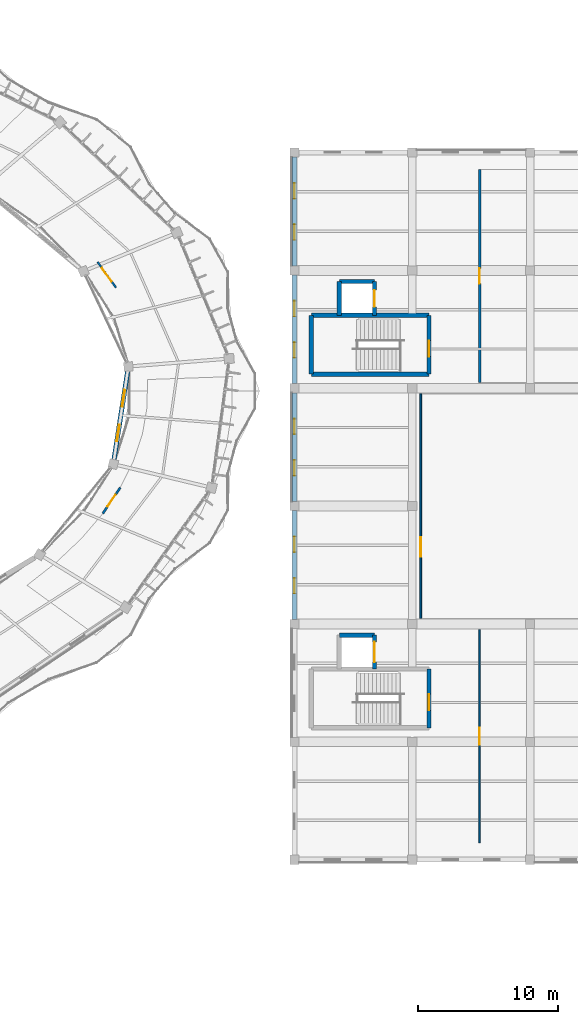
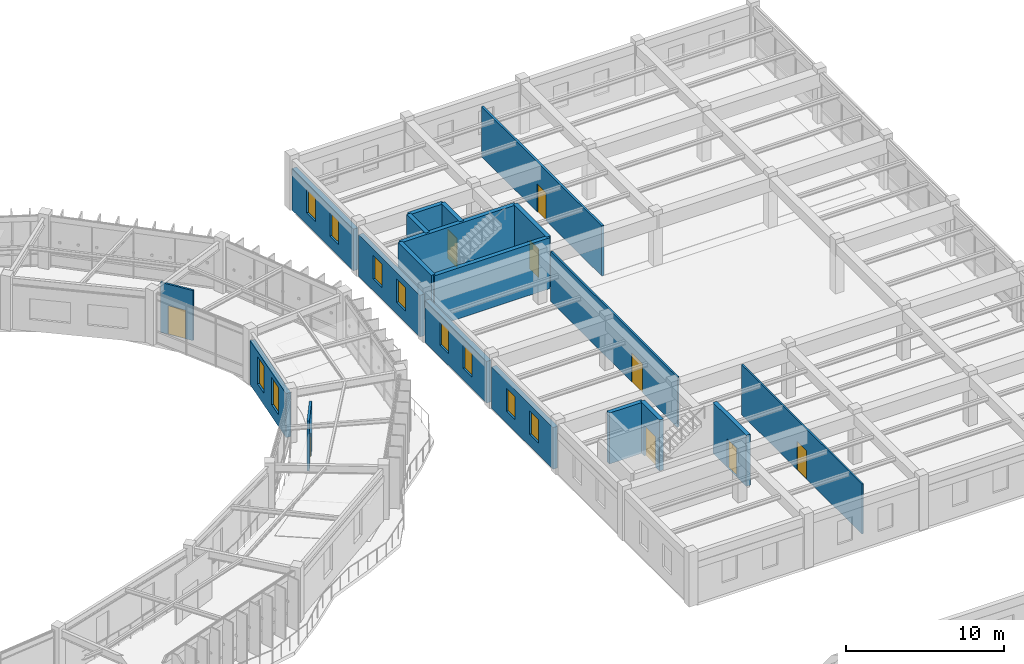
# One storey, part 119 of 138: 20 walls, 10 windows, 9 doors, 19 openings.
"""IFC4 building model written with IfcOpenShell, lengths in metres."""

import ifcopenshell
import ifcopenshell.guid

model = None  # the IFC model being written
_history = None  # IfcOwnerHistory: only IFC2X3 demands one
_inside = {}  # id of a spatial element -> (the spatial element, [elements in it])
_under = {}  # id of a project, library or spatial element -> (it, [spatial elements below it])
_declared = {}  # id of a project -> (the project, [libraries it declares])
_typed = {}  # id of a type object -> (the type object, [elements of that type])
_made_of = {}  # id of a material, layer set ... -> (it, [elements and type objects made of it])


def new_model(schema):
    """Start an empty IFC model of exactly this schema.

    Asked for "IFC4X3", IfcOpenShell would pick the latest addendum, in which some entities
    have other attributes; the version numbers below select the first issue.
    IFC2X3 requires an IfcOwnerHistory on every rooted entity: one is made here for all.
    """
    global model, _history
    if schema == "IFC4X3":
        model = ifcopenshell.file(schema_version=(4, 3, 0, 0))
    else:
        model = ifcopenshell.file(schema=schema)
    _inside.clear()
    _under.clear()
    _declared.clear()
    _typed.clear()
    _made_of.clear()
    _history = None
    if model.schema == "IFC2X3":
        org = make("IfcOrganization", Name="unknown")
        user = make(
            "IfcPersonAndOrganization",
            ThePerson=make("IfcPerson", FamilyName="unknown"),
            TheOrganization=org,
        )
        app = make(
            "IfcApplication",
            ApplicationDeveloper=org,
            Version="unknown",
            ApplicationFullName="unknown",
            ApplicationIdentifier="unknown",
        )
        _history = make(
            "IfcOwnerHistory",
            OwningUser=user,
            OwningApplication=app,
            ChangeAction="ADDED",
            CreationDate=0,
        )
    return model


def make(cls, **values):
    """One entity of the class cls with the attributes given. An attribute that is None is left unset."""
    return model.create_entity(
        cls, **{name: value for name, value in values.items() if value is not None}
    )


def rooted(cls, **values):
    """An entity with a GlobalId (a new one), such as an element, a storey or a relation."""
    return make(cls, GlobalId=ifcopenshell.guid.new(), OwnerHistory=_history, **values)


def si_unit(unit_type, name, prefix=None):
    """IfcSIUnit, for example si_unit("LENGTHUNIT", "METRE", prefix="MILLI")."""
    return make("IfcSIUnit", UnitType=unit_type, Prefix=prefix, Name=name)


def assignment(units):
    """IfcUnitAssignment: the units of a project."""
    return None if units is None else make("IfcUnitAssignment", Units=units)


def point(xyz):
    """IfcCartesianPoint."""
    return None if xyz is None else make("IfcCartesianPoint", Coordinates=xyz)


def direction(xyz):
    """IfcDirection."""
    return None if xyz is None else make("IfcDirection", DirectionRatios=xyz)


def frame(location, z_axis=None, x_axis=None):
    """IfcAxis2Placement3D, a coordinate frame: its origin and axes. An axis left out is left unset."""
    return make(
        "IfcAxis2Placement3D",
        Location=point(location),
        Axis=direction(z_axis),
        RefDirection=direction(x_axis),
    )


def frame_2d(location, x_axis=None):
    """IfcAxis2Placement2D, a coordinate frame in the plane: its origin and x axis."""
    return make(
        "IfcAxis2Placement2D", Location=point(location), RefDirection=direction(x_axis)
    )


def origin():
    """The frame at (0, 0, 0) with its axes left unset."""
    return frame((0.0, 0.0, 0.0))


def place(relative_to, where):
    """IfcLocalPlacement: puts the frame where relative to a parent placement (None: the world)."""
    return make(
        "IfcLocalPlacement", PlacementRelTo=relative_to, RelativePlacement=where
    )


def context(
    kind, dimensions, precision=None, world=None, true_north=None, identifier=None
):
    """IfcGeometricRepresentationContext, for example the 3D "Model" context."""
    return make(
        "IfcGeometricRepresentationContext",
        ContextIdentifier=identifier,
        ContextType=kind,
        CoordinateSpaceDimension=dimensions,
        Precision=precision,
        WorldCoordinateSystem=world,
        TrueNorth=true_north,
    )


def subcontext(parent, identifier, kind, view, scale=None):
    """IfcGeometricRepresentationSubContext, for example "Body" below "Model"."""
    return make(
        "IfcGeometricRepresentationSubContext",
        ContextIdentifier=identifier,
        ContextType=kind,
        ParentContext=parent,
        TargetScale=scale,
        TargetView=view,
    )


def project(units=None, contexts=None):
    """IfcProject with its units and contexts."""
    return rooted(
        "IfcProject",
        Name="project",
        RepresentationContexts=contexts,
        UnitsInContext=assignment(units),
    )


def spatial(cls, under=None, at=None, **own):
    """A site, building, storey or space (cls), placed at a placement, below another one or the project."""
    s = rooted(cls, ObjectPlacement=at, **own)
    if under is not None:
        _under.setdefault(under.id(), (under, []))[1].append(s)
    return s


def profile(cls, at=None, kind="AREA", **sizes):
    """A parametric profile (cls). Its sizes go by their IFC names, for example OverallWidth=200.0."""
    return make(cls, ProfileType=kind, Position=at, **sizes)


def rectangle(**sizes):
    """IfcRectangleProfileDef."""
    return profile("IfcRectangleProfileDef", **sizes)


def extrude(swept, where, along, depth):
    """IfcExtrudedAreaSolid: the profile swept, set in the frame where, extruded along a direction by depth."""
    return make(
        "IfcExtrudedAreaSolid",
        SweptArea=swept,
        Position=where,
        ExtrudedDirection=direction(along),
        Depth=depth,
    )


def shape(context_of_items, identifier, shape_type, items):
    """IfcShapeRepresentation: the items that make up one representation, for example the "Body"."""
    return make(
        "IfcShapeRepresentation",
        ContextOfItems=context_of_items,
        RepresentationIdentifier=identifier,
        RepresentationType=shape_type,
        Items=items,
    )


def material(Name=None, Category=None):
    """IfcMaterial."""
    return make("IfcMaterial", Name=Name, Category=Category)


def layer(
    of_material, thickness, ventilated=None, Name=None, Category=None, Priority=None
):
    """IfcMaterialLayer: one layer of a wall or slab, of a material (None: an air gap)."""
    return make(
        "IfcMaterialLayer",
        Material=of_material,
        LayerThickness=thickness,
        IsVentilated=ventilated,
        Name=Name,
        Category=Category,
        Priority=Priority,
    )


def layer_set(layers, Name=None):
    """IfcMaterialLayerSet."""
    return make("IfcMaterialLayerSet", MaterialLayers=layers, LayerSetName=Name)


def made_of(thing, what):
    """Note that an element or type object is made of a material, layer set ...; save() writes the relation."""
    if what is not None:
        _made_of.setdefault(what.id(), (what, []))[1].append(thing)
    return thing


def type_object(cls, material=None, **own):
    """A type object (cls), such as IfcWallType, which elements share."""
    return made_of(rooted(cls, **own), material)


def element(
    cls,
    number,
    at=None,
    inside=None,
    cuts=None,
    type_object=None,
    material=None,
    context=None,
    identifier="Body",
    shape_type=None,
    held_by="IfcProductDefinitionShape",
    body=None,
    shapes=None,
    **own,
):
    """One element of the class cls, such as IfcWall. Its Tag is "e" and its number.

    at: its placement. inside: the storey or other place that contains it. cuts: it is an
    opening in that element (IfcRelVoidsElement). A single representation is given by context,
    identifier, shape_type and body (its items); several are given by shapes. held_by: the class
    of the entity that holds the representations. save() writes the other relations.
    """
    e = rooted(cls, Tag="e%d" % number, ObjectPlacement=at, **own)
    if body is not None:
        shapes = [shape(context, identifier, shape_type, body)]
    if shapes is not None:
        e.Representation = make(held_by, Representations=shapes)
    if inside is not None:
        _inside.setdefault(inside.id(), (inside, []))[1].append(e)
    if cuts is not None:
        rooted(
            "IfcRelVoidsElement", RelatingBuildingElement=cuts, RelatedOpeningElement=e
        )
    if type_object is not None:
        _typed.setdefault(type_object.id(), (type_object, []))[1].append(e)
    return made_of(e, material)


def fill(opening, filler):
    """IfcRelFillsElement: the door or window that sits in an opening."""
    return rooted(
        "IfcRelFillsElement",
        RelatingOpeningElement=opening,
        RelatedBuildingElement=filler,
    )


def aggregate(whole, parts):
    """IfcRelAggregates: a whole, such as a stair, and the parts it consists of."""
    return rooted("IfcRelAggregates", RelatingObject=whole, RelatedObjects=parts)


def save(model, path):
    """Write the relations noted so far, then the file.

    IfcRelAggregates (storeys below a building ...), IfcRelContainedInSpatialStructure (elements
    in a storey), IfcRelDefinesByType, IfcRelAssociatesMaterial and IfcRelDeclares: one each for
    every whole, place, type object, material and project.
    """
    for whole, parts in _under.values():
        aggregate(whole, parts)
    for where, things in _inside.values():
        rooted(
            "IfcRelContainedInSpatialStructure",
            RelatedElements=things,
            RelatingStructure=where,
        )
    for kind, things in _typed.values():
        rooted("IfcRelDefinesByType", RelatedObjects=things, RelatingType=kind)
    for what, things in _made_of.values():
        rooted("IfcRelAssociatesMaterial", RelatedObjects=things, RelatingMaterial=what)
    for by, libraries in _declared.values():
        rooted("IfcRelDeclares", RelatingContext=by, RelatedDefinitions=libraries)
    model.write(path)


model = new_model("IFC4")

# Units and contexts
model_context = context("Model", 3, precision=1e-05, world=origin(), true_north=direction((0.0, 1.0)))
body_context = subcontext(model_context, "Body", "Model", "MODEL_VIEW")
ifc_project = project(units=[si_unit("LENGTHUNIT", "METRE"), si_unit("AREAUNIT", "SQUARE_METRE"), si_unit("VOLUMEUNIT", "CUBIC_METRE"), si_unit("PLANEANGLEUNIT", "RADIAN"), si_unit("MASSUNIT", "GRAM", prefix="KILO"), si_unit("THERMODYNAMICTEMPERATUREUNIT", "KELVIN"), si_unit("POWERUNIT", "WATT")], contexts=[model_context])

# Site, building, storey
site_placement = place(None, origin())
site = spatial("IfcSite", under=ifc_project, at=site_placement, CompositionType="ELEMENT")
building_placement = place(site_placement, origin())
building = spatial("IfcBuilding", under=site, at=building_placement, Name="Darbajah Civic Hall", CompositionType="ELEMENT")
storey_placement = place(building_placement, frame((0.0, 0.0, 9.60009765625)))
storey = spatial("IfcBuildingStorey", under=building, at=storey_placement, Name="L02", CompositionType="ELEMENT", Elevation=9.60009765625)

# Wall
ifc_material_1 = material(Name="Concrete C45/55", Category="concrete")
ifc_layer_1 = layer(ifc_material_1, 0.300048828125, Name="Concrete C45/55")
ifc_layer_set_1 = layer_set([ifc_layer_1], Name="Concrete C45/55")
wall_type_1 = type_object("IfcWallType", Name="Core Shear Wall 300mm", PredefinedType="SHEAR", material=ifc_layer_set_1)
wall_1_placement = place(storey_placement, frame((145.800048828125, 91.0, 0.0), z_axis=(0.0, 0.0, 1.0), x_axis=(1.0, 0.0, 0.0)))
element("IfcWall", 1, at=wall_1_placement, inside=storey, type_object=wall_type_1, Name="L02 core C08 shear wall S", PredefinedType="SHEAR", context=body_context, shape_type="SweptSolid", body=[
    extrude(rectangle(XDim=8.39990234375, YDim=0.300048828125, at=frame_2d((4.199951171875, 0.0))), origin(), (0.0, 0.0, 1.0), 3.919921875),
])

# Wall, opening, door
wall_2_placement = place(storey_placement, frame((154.199951171875, 91.0, 0.0), z_axis=(0.0, 0.0, 1.0), x_axis=(0.0, 1.0, 0.0)))
wall_2 = element("IfcWall", 2, at=wall_2_placement, inside=storey, type_object=wall_type_1, Name="L02 core C08 shear wall E", PredefinedType="SHEAR", context=body_context, shape_type="SweptSolid", body=[
    extrude(rectangle(XDim=4.199951171875, YDim=0.300048828125, at=frame_2d((2.10009765625, 0.0))), origin(), (0.0, 0.0, 1.0), 3.919921875),
])
opening_1_placement = place(wall_2_placement, frame((1.25, 0.0, 0.0)))
opening_1 = element("IfcOpeningElement", 3, at=opening_1_placement, cuts=wall_2, Name="Opening SD-0091", PredefinedType="OPENING", context=body_context, shape_type="SweptSolid", body=[
    extrude(rectangle(XDim=1.14990234375, YDim=2.199951171875, at=frame_2d((0.574951171875, 1.10009765625))), frame((0.0, 0.159912109375, 0.0), z_axis=(0.0, -1.0, 0.0), x_axis=(1.0, 0.0, 0.0)), (0.0, 0.0, 1.0), 0.320068359375),
])
ifc_material_2 = material(Name="Steel Rated Core Door", Category="steel")
door_type_1 = type_object("IfcDoorType", Name="Interior Door 1150x2200", OperationType="NOTDEFINED", PredefinedType="DOOR", material=ifc_material_2)
door_1_placement = place(opening_1_placement, origin())
door_1 = element("IfcDoor", 4, at=door_1_placement, inside=storey, type_object=door_type_1, Name="L02 stair ST08 fire door SD-0091", OperationType="SINGLE_SWING_RIGHT", OverallHeight=2.199951171875, OverallWidth=1.14990234375, PredefinedType="DOOR", context=body_context, shape_type="SweptSolid", body=[
    extrude(rectangle(XDim=1.14990234375, YDim=2.199951171875, at=frame_2d((0.574951171875, 1.10009765625))), frame((0.0, 0.02490234375, 0.0), z_axis=(0.0, -1.0, 0.0), x_axis=(1.0, 0.0, 0.0)), (0.0, 0.0, 1.0), 0.050048828125),
])
fill(opening_1, door_1)

# Walls
wall_3_placement = place(storey_placement, frame((154.199951171875, 95.199951171875, 0.0), z_axis=(0.0, 0.0, 1.0), x_axis=(-1.0, 0.0, 0.0)))
element("IfcWall", 5, at=wall_3_placement, inside=storey, type_object=wall_type_1, Name="L02 core C08 shear wall N", PredefinedType="SHEAR", context=body_context, shape_type="SweptSolid", body=[
    extrude(rectangle(XDim=8.39990234375, YDim=0.300048828125, at=frame_2d((4.199951171875, 0.0))), origin(), (0.0, 0.0, 1.0), 3.919921875),
])
wall_4_placement = place(storey_placement, frame((145.800048828125, 95.199951171875, 0.0), z_axis=(0.0, 0.0, 1.0), x_axis=(0.0, -1.0, 0.0)))
element("IfcWall", 6, at=wall_4_placement, inside=storey, type_object=wall_type_1, Name="L02 core C08 shear wall W", PredefinedType="SHEAR", context=body_context, shape_type="SweptSolid", body=[
    extrude(rectangle(XDim=4.199951171875, YDim=0.300048828125, at=frame_2d((2.10009765625, 0.0))), origin(), (0.0, 0.0, 1.0), 3.919921875),
])
wall_5_placement = place(storey_placement, frame((150.300048828125, 97.60009765625, 0.0), z_axis=(0.0, 0.0, 1.0), x_axis=(-1.0, 0.0, 0.0)))
element("IfcWall", 7, at=wall_5_placement, inside=storey, type_object=wall_type_1, Name="L02 lift PL4 shaft wall N", PredefinedType="SHEAR", context=body_context, shape_type="SweptSolid", body=[
    extrude(rectangle(XDim=2.5, YDim=0.300048828125, at=frame_2d((1.25, 0.0))), origin(), (0.0, 0.0, 1.0), 3.919921875),
])
wall_6_placement = place(storey_placement, frame((147.800048828125, 97.60009765625, 0.0), z_axis=(0.0, 0.0, 1.0), x_axis=(0.0, -1.0, 0.0)))
element("IfcWall", 8, at=wall_6_placement, inside=storey, type_object=wall_type_1, Name="L02 lift PL4 shaft wall W", PredefinedType="SHEAR", context=body_context, shape_type="SweptSolid", body=[
    extrude(rectangle(XDim=2.400146484375, YDim=0.300048828125, at=frame_2d((1.2001953125, 0.0))), origin(), (0.0, 0.0, 1.0), 3.919921875),
])

# Wall, opening, door
wall_7_placement = place(storey_placement, frame((150.300048828125, 95.199951171875, 0.0), z_axis=(0.0, 0.0, 1.0), x_axis=(0.0, 1.0, 0.0)))
wall_7 = element("IfcWall", 9, at=wall_7_placement, inside=storey, type_object=wall_type_1, Name="L02 lift PL4 shaft wall E", PredefinedType="SHEAR", context=body_context, shape_type="SweptSolid", body=[
    extrude(rectangle(XDim=2.400146484375, YDim=0.300048828125, at=frame_2d((1.2001953125, 0.0))), origin(), (0.0, 0.0, 1.0), 3.919921875),
])
opening_2_placement = place(wall_7_placement, frame((0.60009765625, 0.0, 0.0)))
opening_2 = element("IfcOpeningElement", 10, at=opening_2_placement, cuts=wall_7, Name="Opening LD-0096", PredefinedType="OPENING", context=body_context, shape_type="SweptSolid", body=[
    extrude(rectangle(XDim=1.199951171875, YDim=2.25, at=frame_2d((0.60009765625, 1.125))), frame((0.0, 0.159912109375, 0.0), z_axis=(0.0, -1.0, 0.0), x_axis=(1.0, 0.0, 0.0)), (0.0, 0.0, 1.0), 0.320068359375),
])
ifc_material_3 = material(Name="Stainless Lift Landing Door")
door_type_2 = type_object("IfcDoorType", Name="Lift Landing Door 1200x2250", OperationType="SLIDING_TO_LEFT", PredefinedType="DOOR", material=ifc_material_3)
door_2_placement = place(opening_2_placement, origin())
door_2 = element("IfcDoor", 11, at=door_2_placement, inside=storey, type_object=door_type_2, Name="L02 lift PL4 landing door LD-0096", OperationType="SLIDING_TO_LEFT", OverallHeight=2.25, OverallWidth=1.199951171875, PredefinedType="DOOR", context=body_context, shape_type="SweptSolid", body=[
    extrude(rectangle(XDim=1.199951171875, YDim=2.25, at=frame_2d((0.60009765625, 1.125))), frame((0.0, 0.02490234375, 0.0), z_axis=(0.0, -1.0, 0.0), x_axis=(1.0, 0.0, 0.0)), (0.0, 0.0, 1.0), 0.050048828125),
])
fill(opening_2, door_2)

wall_8_placement = place(storey_placement, frame((154.199951171875, 65.800048828125, 0.0), z_axis=(0.0, 0.0, 1.0), x_axis=(0.0, 1.0, 0.0)))
wall_8 = element("IfcWall", 12, at=wall_8_placement, inside=storey, type_object=wall_type_1, Name="L02 core C09 shear wall E", PredefinedType="SHEAR", context=body_context, shape_type="SweptSolid", body=[
    extrude(rectangle(XDim=4.199951171875, YDim=0.300048828125, at=frame_2d((2.10009765625, 0.0))), origin(), (0.0, 0.0, 1.0), 3.919921875),
])
opening_3_placement = place(wall_8_placement, frame((1.25, 0.0, 0.0)))
opening_3 = element("IfcOpeningElement", 13, at=opening_3_placement, cuts=wall_8, Name="Opening SD-0101", PredefinedType="OPENING", context=body_context, shape_type="SweptSolid", body=[
    extrude(rectangle(XDim=1.14990234375, YDim=2.199951171875, at=frame_2d((0.574951171875, 1.10009765625))), frame((0.0, 0.159912109375, 0.0), z_axis=(0.0, -1.0, 0.0), x_axis=(1.0, 0.0, 0.0)), (0.0, 0.0, 1.0), 0.320068359375),
])
door_3_placement = place(opening_3_placement, origin())
door_3 = element("IfcDoor", 14, at=door_3_placement, inside=storey, type_object=door_type_1, Name="L02 stair ST09 fire door SD-0101", OperationType="SINGLE_SWING_RIGHT", OverallHeight=2.199951171875, OverallWidth=1.14990234375, PredefinedType="DOOR", context=body_context, shape_type="SweptSolid", body=[
    extrude(rectangle(XDim=1.14990234375, YDim=2.199951171875, at=frame_2d((0.574951171875, 1.10009765625))), frame((0.0, 0.02490234375, 0.0), z_axis=(0.0, -1.0, 0.0), x_axis=(1.0, 0.0, 0.0)), (0.0, 0.0, 1.0), 0.050048828125),
])
fill(opening_3, door_3)

# Wall
wall_9_placement = place(storey_placement, frame((150.300048828125, 72.39990234375, 0.0), z_axis=(0.0, 0.0, 1.0), x_axis=(-1.0, 0.0, 0.0)))
element("IfcWall", 15, at=wall_9_placement, inside=storey, type_object=wall_type_1, Name="L02 lift BL1 shaft wall N", PredefinedType="SHEAR", context=body_context, shape_type="SweptSolid", body=[
    extrude(rectangle(XDim=2.5, YDim=0.300048828125, at=frame_2d((1.25, 0.0))), origin(), (0.0, 0.0, 1.0), 3.919921875),
])

# Wall, opening, door
wall_10_placement = place(storey_placement, frame((150.300048828125, 70.0, 0.0), z_axis=(0.0, 0.0, 1.0), x_axis=(0.0, 1.0, 0.0)))
wall_10 = element("IfcWall", 16, at=wall_10_placement, inside=storey, type_object=wall_type_1, Name="L02 lift BL1 shaft wall E", PredefinedType="SHEAR", context=body_context, shape_type="SweptSolid", body=[
    extrude(rectangle(XDim=2.39990234375, YDim=0.300048828125, at=frame_2d((1.199951171875, 0.0))), origin(), (0.0, 0.0, 1.0), 3.919921875),
])
opening_4_placement = place(wall_10_placement, frame((0.47509765625, 0.0, 0.0)))
opening_4 = element("IfcOpeningElement", 17, at=opening_4_placement, cuts=wall_10, Name="Opening LD-0106", PredefinedType="OPENING", context=body_context, shape_type="SweptSolid", body=[
    extrude(rectangle(XDim=1.449951171875, YDim=2.35009765625, at=frame_2d((0.72509765625, 1.175048828125))), frame((0.0, 0.159912109375, 0.0), z_axis=(0.0, -1.0, 0.0), x_axis=(1.0, 0.0, 0.0)), (0.0, 0.0, 1.0), 0.320068359375),
])
ifc_material_4 = material(Name="Goods Lift Landing Door")
door_type_3 = type_object("IfcDoorType", Name="Lift Landing Door 1450x2350", OperationType="SLIDING_TO_LEFT", PredefinedType="DOOR", material=ifc_material_4)
door_4_placement = place(opening_4_placement, origin())
door_4 = element("IfcDoor", 18, at=door_4_placement, inside=storey, type_object=door_type_3, Name="L02 lift BL1 landing door LD-0106", OperationType="SLIDING_TO_LEFT", OverallHeight=2.35009765625, OverallWidth=1.449951171875, PredefinedType="DOOR", context=body_context, shape_type="SweptSolid", body=[
    extrude(rectangle(XDim=1.449951171875, YDim=2.35009765625, at=frame_2d((0.72509765625, 1.175048828125))), frame((0.0, 0.02490234375, 0.0), z_axis=(0.0, -1.0, 0.0), x_axis=(1.0, 0.0, 0.0)), (0.0, 0.0, 1.0), 0.050048828125),
])
fill(opening_4, door_4)

# Wall, openings, windows
ifc_material_5 = material(Name="Qatari Desert Limestone Ashlar", Category="masonry")
ifc_layer_2 = layer(ifc_material_5, 0.340087890625, Name="Qatari Desert Limestone Ashlar")
ifc_layer_set_2 = layer_set([ifc_layer_2], Name="Qatari Desert Limestone Ashlar")
wall_type_2 = type_object("IfcWallType", Name="Exterior Wall 340mm", PredefinedType="SOLIDWALL", material=ifc_layer_set_2)
wall_11_placement = place(storey_placement, frame((131.74365234375, 84.942626953125, 0.0), z_axis=(0.0, 0.0, 1.0), x_axis=(0.15279186299, 0.988258390607, 0.0)))
wall_11 = element("IfcWall", 19, at=wall_11_placement, inside=storey, type_object=wall_type_2, Name="L02 exterior wall EW-340", PredefinedType="SOLIDWALL", context=body_context, shape_type="SweptSolid", body=[
    extrude(rectangle(XDim=6.29248046875, YDim=0.340087890625, at=frame_2d((3.146240234375, 0.0))), origin(), (0.0, 0.0, 1.0), 3.38671875),
])
opening_5_placement = place(wall_11_placement, frame((1.297607421875, 0.0, 0.89990234375)))
opening_5 = element("IfcOpeningElement", 20, at=opening_5_placement, cuts=wall_11, Name="Opening WN-01", PredefinedType="OPENING", context=body_context, shape_type="SweptSolid", body=[
    extrude(rectangle(XDim=1.199951171875, YDim=2.10009765625, at=frame_2d((0.60009765625, 1.050048828125))), frame((0.0, 0.179931640625, 0.0), z_axis=(0.0, -1.0, 0.0), x_axis=(1.0, 0.0, 0.0)), (0.0, 0.0, 1.0), 0.360107421875),
])
opening_6_placement = place(wall_11_placement, frame((3.794921875, 0.0, 0.89990234375)))
opening_6 = element("IfcOpeningElement", 21, at=opening_6_placement, cuts=wall_11, Name="Opening WN-01", PredefinedType="OPENING", context=body_context, shape_type="SweptSolid", body=[
    extrude(rectangle(XDim=1.199951171875, YDim=2.10009765625, at=frame_2d((0.60009765625, 1.050048828125))), frame((0.0, 0.179931640625, 0.0), z_axis=(0.0, -1.0, 0.0), x_axis=(1.0, 0.0, 0.0)), (0.0, 0.0, 1.0), 0.360107421875),
])
ifc_material_6 = material(Name="Low-E Solar Control Double Glazing", Category="glass")
window_type_1 = type_object("IfcWindowType", Name="Facade Window 1200x2100", PartitioningType="SINGLE_PANEL", PredefinedType="WINDOW", material=ifc_material_6)
window_1_placement = place(opening_5_placement, origin())
window_1 = element("IfcWindow", 22, at=window_1_placement, inside=storey, type_object=window_type_1, Name="L02 facade window WN-01", OverallHeight=2.10009765625, OverallWidth=1.199951171875, PartitioningType="SINGLE_PANEL", PredefinedType="WINDOW", context=body_context, shape_type="SweptSolid", body=[
    extrude(rectangle(XDim=1.199951171875, YDim=2.10009765625, at=frame_2d((0.60009765625, 1.050048828125))), frame((0.0, 0.030029296875, 0.0), z_axis=(0.0, -1.0, 0.0), x_axis=(1.0, 0.0, 0.0)), (0.0, 0.0, 1.0), 0.06005859375),
])
fill(opening_5, window_1)
window_2_placement = place(opening_6_placement, origin())
window_2 = element("IfcWindow", 23, at=window_2_placement, inside=storey, type_object=window_type_1, Name="L02 facade window WN-01", OverallHeight=2.10009765625, OverallWidth=1.199951171875, PartitioningType="SINGLE_PANEL", PredefinedType="WINDOW", context=body_context, shape_type="SweptSolid", body=[
    extrude(rectangle(XDim=1.199951171875, YDim=2.10009765625, at=frame_2d((0.60009765625, 1.050048828125))), frame((0.0, 0.030029296875, 0.0), z_axis=(0.0, -1.0, 0.0), x_axis=(1.0, 0.0, 0.0)), (0.0, 0.0, 1.0), 0.06005859375),
])
fill(opening_6, window_2)

wall_12_placement = place(storey_placement, frame((144.60009765625, 106.472900390625, 0.0), z_axis=(0.0, 0.0, 1.0), x_axis=(0.0, -1.0, 0.0)))
wall_12 = element("IfcWall", 24, at=wall_12_placement, inside=storey, type_object=wall_type_2, Name="L02 exterior wall EW-340", PredefinedType="SOLIDWALL", context=body_context, shape_type="SweptSolid", body=[
    extrude(rectangle(XDim=7.745849609375, YDim=0.340087890625, at=frame_2d((3.873046875, 0.0))), origin(), (0.0, 0.0, 1.0), 3.2099609375),
])
opening_7_placement = place(wall_12_placement, frame((1.8486328125, 0.0, 0.89990234375)))
opening_7 = element("IfcOpeningElement", 25, at=opening_7_placement, cuts=wall_12, Name="Opening WN-17", PredefinedType="OPENING", context=body_context, shape_type="SweptSolid", body=[
    extrude(rectangle(XDim=1.10009765625, YDim=1.800048828125, at=frame_2d((0.550048828125, 0.89990234375))), frame((0.0, 0.179931640625, 0.0), z_axis=(0.0, -1.0, 0.0), x_axis=(1.0, 0.0, 0.0)), (0.0, 0.0, 1.0), 0.360107421875),
])
opening_8_placement = place(wall_12_placement, frame((4.79736328125, 0.0, 0.89990234375)))
opening_8 = element("IfcOpeningElement", 26, at=opening_8_placement, cuts=wall_12, Name="Opening WN-17", PredefinedType="OPENING", context=body_context, shape_type="SweptSolid", body=[
    extrude(rectangle(XDim=1.10009765625, YDim=1.800048828125, at=frame_2d((0.550048828125, 0.89990234375))), frame((0.0, 0.179931640625, 0.0), z_axis=(0.0, -1.0, 0.0), x_axis=(1.0, 0.0, 0.0)), (0.0, 0.0, 1.0), 0.360107421875),
])
window_type_2 = type_object("IfcWindowType", Name="Facade Window 1100x1800", PartitioningType="SINGLE_PANEL", PredefinedType="WINDOW", material=ifc_material_6)
window_3_placement = place(opening_7_placement, origin())
window_3 = element("IfcWindow", 27, at=window_3_placement, inside=storey, type_object=window_type_2, Name="L02 facade window WN-17", OverallHeight=1.800048828125, OverallWidth=1.10009765625, PartitioningType="SINGLE_PANEL", PredefinedType="WINDOW", context=body_context, shape_type="SweptSolid", body=[
    extrude(rectangle(XDim=1.10009765625, YDim=1.800048828125, at=frame_2d((0.550048828125, 0.89990234375))), frame((0.0, 0.030029296875, 0.0), z_axis=(0.0, -1.0, 0.0), x_axis=(1.0, 0.0, 0.0)), (0.0, 0.0, 1.0), 0.06005859375),
])
fill(opening_7, window_3)
window_4_placement = place(opening_8_placement, origin())
window_4 = element("IfcWindow", 28, at=window_4_placement, inside=storey, type_object=window_type_2, Name="L02 facade window WN-17", OverallHeight=1.800048828125, OverallWidth=1.10009765625, PartitioningType="SINGLE_PANEL", PredefinedType="WINDOW", context=body_context, shape_type="SweptSolid", body=[
    extrude(rectangle(XDim=1.10009765625, YDim=1.800048828125, at=frame_2d((0.550048828125, 0.89990234375))), frame((0.0, 0.030029296875, 0.0), z_axis=(0.0, -1.0, 0.0), x_axis=(1.0, 0.0, 0.0)), (0.0, 0.0, 1.0), 0.06005859375),
])
fill(opening_8, window_4)

wall_13_placement = place(storey_placement, frame((144.60009765625, 98.072998046875, 0.0), z_axis=(0.0, 0.0, 1.0), x_axis=(0.0, -1.0, 0.0)))
wall_13 = element("IfcWall", 29, at=wall_13_placement, inside=storey, type_object=wall_type_2, Name="L02 exterior wall EW-340", PredefinedType="SOLIDWALL", context=body_context, shape_type="SweptSolid", body=[
    extrude(rectangle(XDim=7.74609375, YDim=0.340087890625, at=frame_2d((3.873046875, 0.0))), origin(), (0.0, 0.0, 1.0), 3.2099609375),
])
opening_9_placement = place(wall_13_placement, frame((1.8486328125, 0.0, 0.89990234375)))
opening_9 = element("IfcOpeningElement", 30, at=opening_9_placement, cuts=wall_13, Name="Opening WN-17", PredefinedType="OPENING", context=body_context, shape_type="SweptSolid", body=[
    extrude(rectangle(XDim=1.10009765625, YDim=1.800048828125, at=frame_2d((0.550048828125, 0.89990234375))), frame((0.0, 0.179931640625, 0.0), z_axis=(0.0, -1.0, 0.0), x_axis=(1.0, 0.0, 0.0)), (0.0, 0.0, 1.0), 0.360107421875),
])
opening_10_placement = place(wall_13_placement, frame((4.79736328125, 0.0, 0.89990234375)))
opening_10 = element("IfcOpeningElement", 31, at=opening_10_placement, cuts=wall_13, Name="Opening WN-17", PredefinedType="OPENING", context=body_context, shape_type="SweptSolid", body=[
    extrude(rectangle(XDim=1.10009765625, YDim=1.800048828125, at=frame_2d((0.550048828125, 0.89990234375))), frame((0.0, 0.179931640625, 0.0), z_axis=(0.0, -1.0, 0.0), x_axis=(1.0, 0.0, 0.0)), (0.0, 0.0, 1.0), 0.360107421875),
])
window_5_placement = place(opening_9_placement, origin())
window_5 = element("IfcWindow", 32, at=window_5_placement, inside=storey, type_object=window_type_2, Name="L02 facade window WN-17", OverallHeight=1.800048828125, OverallWidth=1.10009765625, PartitioningType="SINGLE_PANEL", PredefinedType="WINDOW", context=body_context, shape_type="SweptSolid", body=[
    extrude(rectangle(XDim=1.10009765625, YDim=1.800048828125, at=frame_2d((0.550048828125, 0.89990234375))), frame((0.0, 0.030029296875, 0.0), z_axis=(0.0, -1.0, 0.0), x_axis=(1.0, 0.0, 0.0)), (0.0, 0.0, 1.0), 0.06005859375),
])
fill(opening_9, window_5)
window_6_placement = place(opening_10_placement, origin())
window_6 = element("IfcWindow", 33, at=window_6_placement, inside=storey, type_object=window_type_2, Name="L02 facade window WN-17", OverallHeight=1.800048828125, OverallWidth=1.10009765625, PartitioningType="SINGLE_PANEL", PredefinedType="WINDOW", context=body_context, shape_type="SweptSolid", body=[
    extrude(rectangle(XDim=1.10009765625, YDim=1.800048828125, at=frame_2d((0.550048828125, 0.89990234375))), frame((0.0, 0.030029296875, 0.0), z_axis=(0.0, -1.0, 0.0), x_axis=(1.0, 0.0, 0.0)), (0.0, 0.0, 1.0), 0.06005859375),
])
fill(opening_10, window_6)

wall_14_placement = place(storey_placement, frame((144.60009765625, 89.673095703125, 0.0), z_axis=(0.0, 0.0, 1.0), x_axis=(0.0, -1.0, 0.0)))
wall_14 = element("IfcWall", 34, at=wall_14_placement, inside=storey, type_object=wall_type_2, Name="L02 exterior wall EW-340", PredefinedType="SOLIDWALL", context=body_context, shape_type="SweptSolid", body=[
    extrude(rectangle(XDim=7.74609375, YDim=0.340087890625, at=frame_2d((3.873046875, 0.0))), origin(), (0.0, 0.0, 1.0), 3.2099609375),
])
opening_11_placement = place(wall_14_placement, frame((1.8486328125, 0.0, 0.89990234375)))
opening_11 = element("IfcOpeningElement", 35, at=opening_11_placement, cuts=wall_14, Name="Opening WN-17", PredefinedType="OPENING", context=body_context, shape_type="SweptSolid", body=[
    extrude(rectangle(XDim=1.10009765625, YDim=1.800048828125, at=frame_2d((0.550048828125, 0.89990234375))), frame((0.0, 0.179931640625, 0.0), z_axis=(0.0, -1.0, 0.0), x_axis=(1.0, 0.0, 0.0)), (0.0, 0.0, 1.0), 0.360107421875),
])
opening_12_placement = place(wall_14_placement, frame((4.79736328125, 0.0, 0.89990234375)))
opening_12 = element("IfcOpeningElement", 36, at=opening_12_placement, cuts=wall_14, Name="Opening WN-17", PredefinedType="OPENING", context=body_context, shape_type="SweptSolid", body=[
    extrude(rectangle(XDim=1.10009765625, YDim=1.800048828125, at=frame_2d((0.550048828125, 0.89990234375))), frame((0.0, 0.179931640625, 0.0), z_axis=(0.0, -1.0, 0.0), x_axis=(1.0, 0.0, 0.0)), (0.0, 0.0, 1.0), 0.360107421875),
])
window_7_placement = place(opening_11_placement, origin())
window_7 = element("IfcWindow", 37, at=window_7_placement, inside=storey, type_object=window_type_2, Name="L02 facade window WN-17", OverallHeight=1.800048828125, OverallWidth=1.10009765625, PartitioningType="SINGLE_PANEL", PredefinedType="WINDOW", context=body_context, shape_type="SweptSolid", body=[
    extrude(rectangle(XDim=1.10009765625, YDim=1.800048828125, at=frame_2d((0.550048828125, 0.89990234375))), frame((0.0, 0.030029296875, 0.0), z_axis=(0.0, -1.0, 0.0), x_axis=(1.0, 0.0, 0.0)), (0.0, 0.0, 1.0), 0.06005859375),
])
fill(opening_11, window_7)
window_8_placement = place(opening_12_placement, origin())
window_8 = element("IfcWindow", 38, at=window_8_placement, inside=storey, type_object=window_type_2, Name="L02 facade window WN-17", OverallHeight=1.800048828125, OverallWidth=1.10009765625, PartitioningType="SINGLE_PANEL", PredefinedType="WINDOW", context=body_context, shape_type="SweptSolid", body=[
    extrude(rectangle(XDim=1.10009765625, YDim=1.800048828125, at=frame_2d((0.550048828125, 0.89990234375))), frame((0.0, 0.030029296875, 0.0), z_axis=(0.0, -1.0, 0.0), x_axis=(1.0, 0.0, 0.0)), (0.0, 0.0, 1.0), 0.06005859375),
])
fill(opening_12, window_8)

wall_15_placement = place(storey_placement, frame((144.60009765625, 81.27294921875, 0.0), z_axis=(0.0, 0.0, 1.0), x_axis=(0.0, -1.0, 0.0)))
wall_15 = element("IfcWall", 39, at=wall_15_placement, inside=storey, type_object=wall_type_2, Name="L02 exterior wall EW-340", PredefinedType="SOLIDWALL", context=body_context, shape_type="SweptSolid", body=[
    extrude(rectangle(XDim=7.745849609375, YDim=0.340087890625, at=frame_2d((3.873046875, 0.0))), origin(), (0.0, 0.0, 1.0), 3.2099609375),
])
opening_13_placement = place(wall_15_placement, frame((1.8486328125, 0.0, 0.89990234375)))
opening_13 = element("IfcOpeningElement", 40, at=opening_13_placement, cuts=wall_15, Name="Opening WN-17", PredefinedType="OPENING", context=body_context, shape_type="SweptSolid", body=[
    extrude(rectangle(XDim=1.10009765625, YDim=1.800048828125, at=frame_2d((0.550048828125, 0.89990234375))), frame((0.0, 0.179931640625, 0.0), z_axis=(0.0, -1.0, 0.0), x_axis=(1.0, 0.0, 0.0)), (0.0, 0.0, 1.0), 0.360107421875),
])
opening_14_placement = place(wall_15_placement, frame((4.79736328125, 0.0, 0.89990234375)))
opening_14 = element("IfcOpeningElement", 41, at=opening_14_placement, cuts=wall_15, Name="Opening WN-17", PredefinedType="OPENING", context=body_context, shape_type="SweptSolid", body=[
    extrude(rectangle(XDim=1.10009765625, YDim=1.800048828125, at=frame_2d((0.550048828125, 0.89990234375))), frame((0.0, 0.179931640625, 0.0), z_axis=(0.0, -1.0, 0.0), x_axis=(1.0, 0.0, 0.0)), (0.0, 0.0, 1.0), 0.360107421875),
])
window_9_placement = place(opening_13_placement, origin())
window_9 = element("IfcWindow", 42, at=window_9_placement, inside=storey, type_object=window_type_2, Name="L02 facade window WN-17", OverallHeight=1.800048828125, OverallWidth=1.10009765625, PartitioningType="SINGLE_PANEL", PredefinedType="WINDOW", context=body_context, shape_type="SweptSolid", body=[
    extrude(rectangle(XDim=1.10009765625, YDim=1.800048828125, at=frame_2d((0.550048828125, 0.89990234375))), frame((0.0, 0.030029296875, 0.0), z_axis=(0.0, -1.0, 0.0), x_axis=(1.0, 0.0, 0.0)), (0.0, 0.0, 1.0), 0.06005859375),
])
fill(opening_13, window_9)
window_10_placement = place(opening_14_placement, origin())
window_10 = element("IfcWindow", 43, at=window_10_placement, inside=storey, type_object=window_type_2, Name="L02 facade window WN-17", OverallHeight=1.800048828125, OverallWidth=1.10009765625, PartitioningType="SINGLE_PANEL", PredefinedType="WINDOW", context=body_context, shape_type="SweptSolid", body=[
    extrude(rectangle(XDim=1.10009765625, YDim=1.800048828125, at=frame_2d((0.550048828125, 0.89990234375))), frame((0.0, 0.030029296875, 0.0), z_axis=(0.0, -1.0, 0.0), x_axis=(1.0, 0.0, 0.0)), (0.0, 0.0, 1.0), 0.06005859375),
])
fill(opening_14, window_10)

# Wall, opening, door
ifc_material_7 = material(Name="Acoustic Gypsum Partition")
ifc_layer_3 = layer(ifc_material_7, 0.114990234375, Name="Acoustic Gypsum Partition")
ifc_layer_set_3 = layer_set([ifc_layer_3], Name="Acoustic Gypsum Partition")
wall_type_3 = type_object("IfcWallType", Name="Interior Partition 115mm", PredefinedType="PARTITIONING", material=ifc_layer_set_3)
wall_16_placement = place(storey_placement, frame((157.800048828125, 57.60009765625, 0.0), z_axis=(0.0, 0.0, 1.0), x_axis=(0.0, 1.0, 0.0)))
wall_16 = element("IfcWall", 44, at=wall_16_placement, inside=storey, type_object=wall_type_3, Name="L02 interior partition L02-V4-02", PredefinedType="PARTITIONING", context=body_context, shape_type="SweptSolid", body=[
    extrude(rectangle(XDim=15.199951171875, YDim=0.114990234375, at=frame_2d((7.60009765625, 0.0))), origin(), (0.0, 0.0, 1.0), 3.85986328125),
])
opening_15_placement = place(wall_16_placement, frame((7.0, 0.0, 0.0)))
opening_15 = element("IfcOpeningElement", 45, at=opening_15_placement, cuts=wall_16, Name="Opening D-0214", PredefinedType="OPENING", context=body_context, shape_type="SweptSolid", body=[
    extrude(rectangle(XDim=1.199951171875, YDim=2.199951171875, at=frame_2d((0.60009765625, 1.10009765625))), frame((0.0, 0.0673828125, 0.0), z_axis=(0.0, -1.0, 0.0), x_axis=(1.0, 0.0, 0.0)), (0.0, 0.0, 1.0), 0.135009765625),
])
ifc_material_8 = material(Name="Painted Hardwood Fire Door", Category="wood")
door_type_4 = type_object("IfcDoorType", Name="Interior Door 1200x2200", OperationType="NOTDEFINED", PredefinedType="DOOR", material=ifc_material_8)
door_5_placement = place(opening_15_placement, origin())
door_5 = element("IfcDoor", 46, at=door_5_placement, inside=storey, type_object=door_type_4, Name="L02 L02-V4-02 door D-0214", OperationType="SINGLE_SWING_LEFT", OverallHeight=2.199951171875, OverallWidth=1.199951171875, PredefinedType="DOOR", context=body_context, shape_type="SweptSolid", body=[
    extrude(rectangle(XDim=1.199951171875, YDim=2.199951171875, at=frame_2d((0.60009765625, 1.10009765625))), frame((0.0, 0.02490234375, 0.0), z_axis=(0.0, -1.0, 0.0), x_axis=(1.0, 0.0, 0.0)), (0.0, 0.0, 1.0), 0.050048828125),
])
fill(opening_15, door_5)

ifc_material_9 = material(Name="Gypsum Plasterboard on Steel Stud", Category="steel")
ifc_layer_4 = layer(ifc_material_9, 0.135009765625, Name="Gypsum Plasterboard on Steel Stud")
ifc_layer_set_4 = layer_set([ifc_layer_4], Name="Gypsum Plasterboard on Steel Stud")
wall_type_4 = type_object("IfcWallType", Name="Interior Partition 135mm", PredefinedType="PARTITIONING", material=ifc_layer_set_4)
wall_17_placement = place(storey_placement, frame((130.568603515625, 99.001708984375, 0.0), z_axis=(0.0, 0.0, 1.0), x_axis=(0.584301868487, -0.811536398742, 0.0)))
wall_17 = element("IfcWall", 47, at=wall_17_placement, inside=storey, type_object=wall_type_4, Name="L02 interior partition L02-V1-03", PredefinedType="PARTITIONING", context=body_context, shape_type="SweptSolid", body=[
    extrude(rectangle(XDim=2.2509765625, YDim=0.135009765625, at=frame_2d((1.12548828125, 0.0))), origin(), (0.0, 0.0, 1.0), 3.85986328125),
])
opening_16_placement = place(wall_17_placement, frame((0.525390625, 0.0, 0.0)))
opening_16 = element("IfcOpeningElement", 48, at=opening_16_placement, cuts=wall_17, Name="Opening D-0198", PredefinedType="OPENING", context=body_context, shape_type="SweptSolid", body=[
    extrude(rectangle(XDim=1.199951171875, YDim=2.199951171875, at=frame_2d((0.60009765625, 1.10009765625))), frame((0.0, 0.077392578125, 0.0), z_axis=(0.0, -1.0, 0.0), x_axis=(1.0, 0.0, 0.0)), (0.0, 0.0, 1.0), 0.155029296875),
])
door_6_placement = place(opening_16_placement, origin())
door_6 = element("IfcDoor", 49, at=door_6_placement, inside=storey, type_object=door_type_4, Name="L02 L02-V1-03 door D-0198", OperationType="SINGLE_SWING_LEFT", OverallHeight=2.199951171875, OverallWidth=1.199951171875, PredefinedType="DOOR", context=body_context, shape_type="SweptSolid", body=[
    extrude(rectangle(XDim=1.199951171875, YDim=2.199951171875, at=frame_2d((0.60009765625, 1.10009765625))), frame((0.0, 0.02490234375, 0.0), z_axis=(0.0, -1.0, 0.0), x_axis=(1.0, 0.0, 0.0)), (0.0, 0.0, 1.0), 0.050048828125),
])
fill(opening_16, door_6)

wall_18_placement = place(storey_placement, frame((153.60009765625, 73.60009765625, 0.0), z_axis=(0.0, 0.0, 1.0), x_axis=(0.0, 1.0, 0.0)))
wall_18 = element("IfcWall", 50, at=wall_18_placement, inside=storey, type_object=wall_type_4, Name="L02 interior partition L02-V4-01", PredefinedType="PARTITIONING", context=body_context, shape_type="SweptSolid", body=[
    extrude(rectangle(XDim=16.0, YDim=0.135009765625, at=frame_2d((8.0, 0.0))), origin(), (0.0, 0.0, 1.0), 3.85986328125),
])
opening_17_placement = place(wall_18_placement, frame((4.3798828125, 0.0, 0.0)))
opening_17 = element("IfcOpeningElement", 51, at=opening_17_placement, cuts=wall_18, Name="Opening D-0213", PredefinedType="OPENING", context=body_context, shape_type="SweptSolid", body=[
    extrude(rectangle(XDim=1.39990234375, YDim=2.25, at=frame_2d((0.699951171875, 1.125))), frame((0.0, 0.077392578125, 0.0), z_axis=(0.0, -1.0, 0.0), x_axis=(1.0, 0.0, 0.0)), (0.0, 0.0, 1.0), 0.155029296875),
])
door_type_5 = type_object("IfcDoorType", Name="Interior Door 1400x2250", OperationType="NOTDEFINED", PredefinedType="DOOR", material=ifc_material_8)
door_7_placement = place(opening_17_placement, origin())
door_7 = element("IfcDoor", 52, at=door_7_placement, inside=storey, type_object=door_type_5, Name="L02 L02-V4-01 door D-0213", OperationType="SINGLE_SWING_RIGHT", OverallHeight=2.25, OverallWidth=1.39990234375, PredefinedType="DOOR", context=body_context, shape_type="SweptSolid", body=[
    extrude(rectangle(XDim=1.39990234375, YDim=2.25, at=frame_2d((0.699951171875, 1.125))), frame((0.0, 0.02490234375, 0.0), z_axis=(0.0, -1.0, 0.0), x_axis=(1.0, 0.0, 0.0)), (0.0, 0.0, 1.0), 0.050048828125),
])
fill(opening_17, door_7)

ifc_layer_5 = layer(ifc_material_9, 0.159912109375, Name="Gypsum Plasterboard on Steel Stud")
ifc_layer_set_5 = layer_set([ifc_layer_5], Name="Gypsum Plasterboard on Steel Stud")
wall_type_5 = type_object("IfcWallType", Name="Interior Partition 160mm", PredefinedType="PARTITIONING", material=ifc_layer_set_5)
wall_19_placement = place(storey_placement, frame((132.181396484375, 82.91455078125, 0.0), z_axis=(0.0, 0.0, 1.0), x_axis=(-0.558173937848, -0.829723963199, 0.0)))
wall_19 = element("IfcWall", 53, at=wall_19_placement, inside=storey, type_object=wall_type_5, Name="L02 interior partition L02-V1-02", PredefinedType="PARTITIONING", context=body_context, shape_type="SweptSolid", body=[
    extrude(rectangle(XDim=2.218994140625, YDim=0.159912109375, at=frame_2d((1.109375, 0.0))), origin(), (0.0, 0.0, 1.0), 3.85986328125),
])
opening_18_placement = place(wall_19_placement, frame((0.609619140625, 0.0, 0.0)))
opening_18 = element("IfcOpeningElement", 54, at=opening_18_placement, cuts=wall_19, Name="Opening D-0197", PredefinedType="OPENING", context=body_context, shape_type="SweptSolid", body=[
    extrude(rectangle(XDim=1.0, YDim=2.10009765625, at=frame_2d((0.5, 1.050048828125))), frame((0.0, 0.08984375, 0.0), z_axis=(0.0, -1.0, 0.0), x_axis=(1.0, 0.0, 0.0)), (0.0, 0.0, 1.0), 0.179931640625),
])
ifc_material_10 = material(Name="Oak Suite Door")
door_type_6 = type_object("IfcDoorType", Name="Interior Door 1000x2100", OperationType="NOTDEFINED", PredefinedType="DOOR", material=ifc_material_10)
door_8_placement = place(opening_18_placement, origin())
door_8 = element("IfcDoor", 55, at=door_8_placement, inside=storey, type_object=door_type_6, Name="L02 L02-V1-02 door D-0197", OperationType="SINGLE_SWING_RIGHT", OverallHeight=2.10009765625, OverallWidth=1.0, PredefinedType="DOOR", context=body_context, shape_type="SweptSolid", body=[
    extrude(rectangle(XDim=1.0, YDim=2.10009765625, at=frame_2d((0.5, 1.050048828125))), frame((0.0, 0.02490234375, 0.0), z_axis=(0.0, -1.0, 0.0), x_axis=(1.0, 0.0, 0.0)), (0.0, 0.0, 1.0), 0.050048828125),
])
fill(opening_18, door_8)

wall_20_placement = place(storey_placement, frame((157.800048828125, 90.39990234375, 0.0), z_axis=(0.0, 0.0, 1.0), x_axis=(0.0, 1.0, 0.0)))
wall_20 = element("IfcWall", 56, at=wall_20_placement, inside=storey, type_object=wall_type_5, Name="L02 interior partition L02-V4-03", PredefinedType="PARTITIONING", context=body_context, shape_type="SweptSolid", body=[
    extrude(rectangle(XDim=15.2001953125, YDim=0.159912109375, at=frame_2d((7.60009765625, 0.0))), origin(), (0.0, 0.0, 1.0), 3.85986328125),
])
opening_19_placement = place(wall_20_placement, frame((7.050048828125, 0.0, 0.0)))
opening_19 = element("IfcOpeningElement", 57, at=opening_19_placement, cuts=wall_20, Name="Opening D-0215", PredefinedType="OPENING", context=body_context, shape_type="SweptSolid", body=[
    extrude(rectangle(XDim=1.10009765625, YDim=2.14990234375, at=frame_2d((0.550048828125, 1.074951171875))), frame((0.0, 0.08984375, 0.0), z_axis=(0.0, -1.0, 0.0), x_axis=(1.0, 0.0, 0.0)), (0.0, 0.0, 1.0), 0.179931640625),
])
ifc_material_11 = material(Name="Acoustic Oak Office Door")
door_type_7 = type_object("IfcDoorType", Name="Interior Door 1100x2150", OperationType="NOTDEFINED", PredefinedType="DOOR", material=ifc_material_11)
door_9_placement = place(opening_19_placement, origin())
door_9 = element("IfcDoor", 58, at=door_9_placement, inside=storey, type_object=door_type_7, Name="L02 L02-V4-03 door D-0215", OperationType="SINGLE_SWING_RIGHT", OverallHeight=2.14990234375, OverallWidth=1.10009765625, PredefinedType="DOOR", context=body_context, shape_type="SweptSolid", body=[
    extrude(rectangle(XDim=1.10009765625, YDim=2.14990234375, at=frame_2d((0.550048828125, 1.074951171875))), frame((0.0, 0.02490234375, 0.0), z_axis=(0.0, -1.0, 0.0), x_axis=(1.0, 0.0, 0.0)), (0.0, 0.0, 1.0), 0.050048828125),
])
fill(opening_19, door_9)

save(model, "model.ifc")
